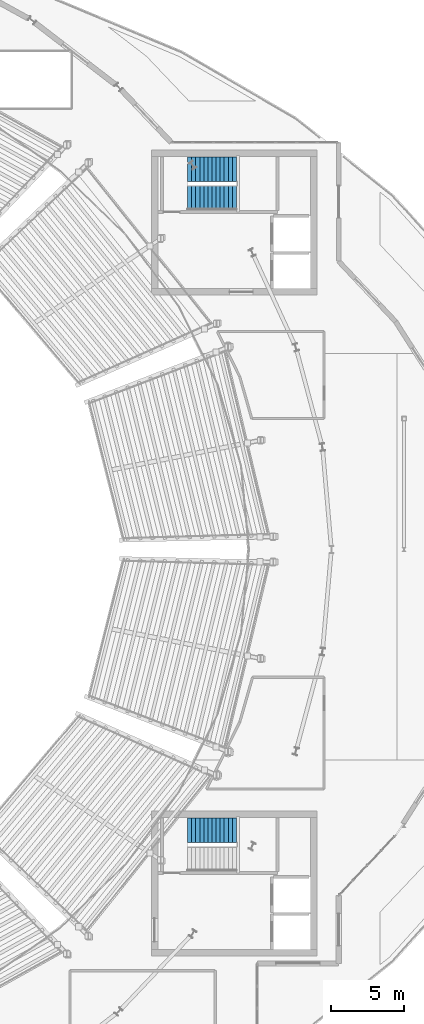
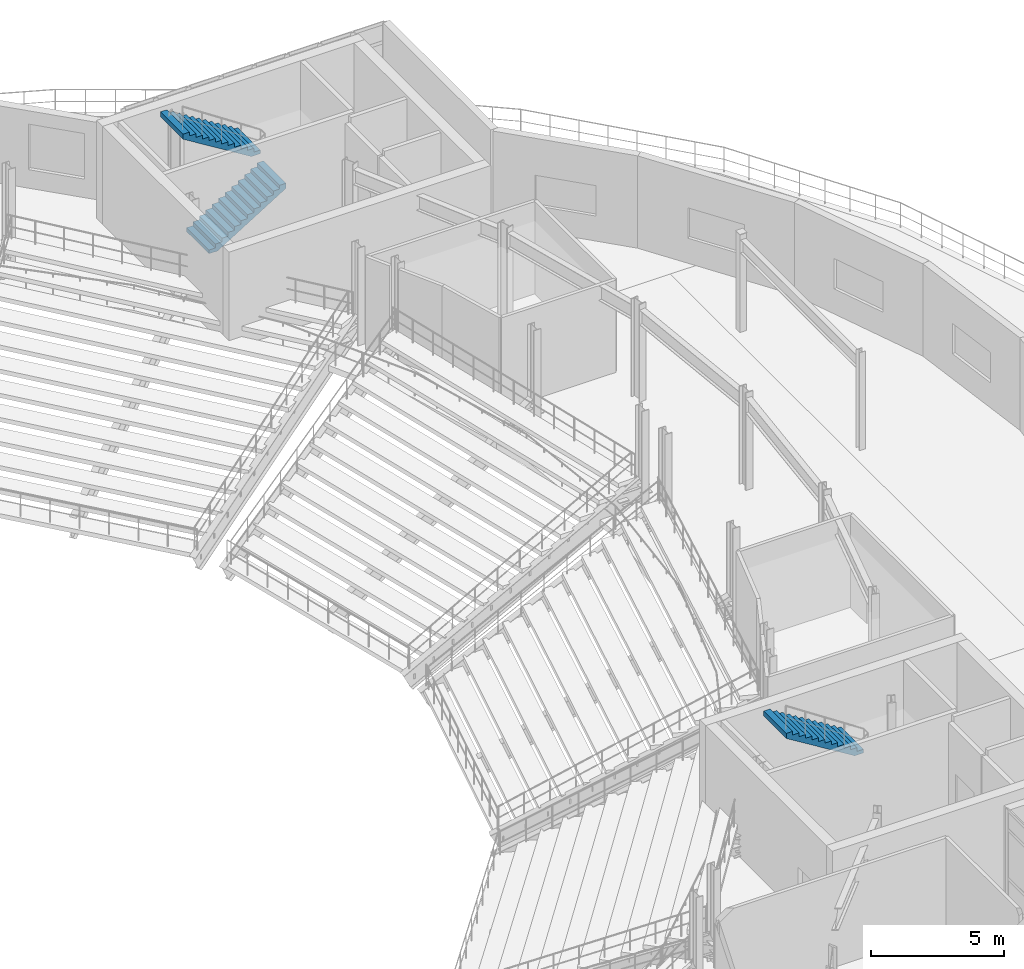
# One storey, part 62 of 81: 3 stair flights, 2 elements without a shape of their own.
"""IFC4 building model written with IfcOpenShell, lengths in metres."""

import ifcopenshell
import ifcopenshell.guid

model = None  # the IFC model being written
_history = None  # IfcOwnerHistory: only IFC2X3 demands one
_inside = {}  # id of a spatial element -> (the spatial element, [elements in it])
_under = {}  # id of a project, library or spatial element -> (it, [spatial elements below it])
_declared = {}  # id of a project -> (the project, [libraries it declares])
_typed = {}  # id of a type object -> (the type object, [elements of that type])
_made_of = {}  # id of a material, layer set ... -> (it, [elements and type objects made of it])


def new_model(schema):
    """Start an empty IFC model of exactly this schema.

    Asked for "IFC4X3", IfcOpenShell would pick the latest addendum, in which some entities
    have other attributes; the version numbers below select the first issue.
    IFC2X3 requires an IfcOwnerHistory on every rooted entity: one is made here for all.
    """
    global model, _history
    if schema == "IFC4X3":
        model = ifcopenshell.file(schema_version=(4, 3, 0, 0))
    else:
        model = ifcopenshell.file(schema=schema)
    _inside.clear()
    _under.clear()
    _declared.clear()
    _typed.clear()
    _made_of.clear()
    _history = None
    if model.schema == "IFC2X3":
        org = make("IfcOrganization", Name="unknown")
        user = make(
            "IfcPersonAndOrganization",
            ThePerson=make("IfcPerson", FamilyName="unknown"),
            TheOrganization=org,
        )
        app = make(
            "IfcApplication",
            ApplicationDeveloper=org,
            Version="unknown",
            ApplicationFullName="unknown",
            ApplicationIdentifier="unknown",
        )
        _history = make(
            "IfcOwnerHistory",
            OwningUser=user,
            OwningApplication=app,
            ChangeAction="ADDED",
            CreationDate=0,
        )
    return model


def make(cls, **values):
    """One entity of the class cls with the attributes given. An attribute that is None is left unset."""
    return model.create_entity(
        cls, **{name: value for name, value in values.items() if value is not None}
    )


def rooted(cls, **values):
    """An entity with a GlobalId (a new one), such as an element, a storey or a relation."""
    return make(cls, GlobalId=ifcopenshell.guid.new(), OwnerHistory=_history, **values)


def si_unit(unit_type, name, prefix=None):
    """IfcSIUnit, for example si_unit("LENGTHUNIT", "METRE", prefix="MILLI")."""
    return make("IfcSIUnit", UnitType=unit_type, Prefix=prefix, Name=name)


def assignment(units):
    """IfcUnitAssignment: the units of a project."""
    return None if units is None else make("IfcUnitAssignment", Units=units)


def point(xyz):
    """IfcCartesianPoint."""
    return None if xyz is None else make("IfcCartesianPoint", Coordinates=xyz)


def direction(xyz):
    """IfcDirection."""
    return None if xyz is None else make("IfcDirection", DirectionRatios=xyz)


def frame(location, z_axis=None, x_axis=None):
    """IfcAxis2Placement3D, a coordinate frame: its origin and axes. An axis left out is left unset."""
    return make(
        "IfcAxis2Placement3D",
        Location=point(location),
        Axis=direction(z_axis),
        RefDirection=direction(x_axis),
    )


def origin():
    """The frame at (0, 0, 0) with its axes left unset."""
    return frame((0.0, 0.0, 0.0))


def place(relative_to, where):
    """IfcLocalPlacement: puts the frame where relative to a parent placement (None: the world)."""
    return make(
        "IfcLocalPlacement", PlacementRelTo=relative_to, RelativePlacement=where
    )


def context(
    kind, dimensions, precision=None, world=None, true_north=None, identifier=None
):
    """IfcGeometricRepresentationContext, for example the 3D "Model" context."""
    return make(
        "IfcGeometricRepresentationContext",
        ContextIdentifier=identifier,
        ContextType=kind,
        CoordinateSpaceDimension=dimensions,
        Precision=precision,
        WorldCoordinateSystem=world,
        TrueNorth=true_north,
    )


def subcontext(parent, identifier, kind, view, scale=None):
    """IfcGeometricRepresentationSubContext, for example "Body" below "Model"."""
    return make(
        "IfcGeometricRepresentationSubContext",
        ContextIdentifier=identifier,
        ContextType=kind,
        ParentContext=parent,
        TargetScale=scale,
        TargetView=view,
    )


def project(units=None, contexts=None):
    """IfcProject with its units and contexts."""
    return rooted(
        "IfcProject",
        Name="project",
        RepresentationContexts=contexts,
        UnitsInContext=assignment(units),
    )


def spatial(cls, under=None, at=None, **own):
    """A site, building, storey or space (cls), placed at a placement, below another one or the project."""
    s = rooted(cls, ObjectPlacement=at, **own)
    if under is not None:
        _under.setdefault(under.id(), (under, []))[1].append(s)
    return s


def polyline(points):
    """IfcPolyline through the points."""
    return make("IfcPolyline", Points=[point(p) for p in points])


def outline(outer, holes=None, kind="AREA"):
    """IfcArbitraryClosedProfileDef: a profile drawn as a closed curve; with holes, ...WithVoids."""
    if holes is None:
        return make("IfcArbitraryClosedProfileDef", ProfileType=kind, OuterCurve=outer)
    return make(
        "IfcArbitraryProfileDefWithVoids",
        ProfileType=kind,
        OuterCurve=outer,
        InnerCurves=holes,
    )


def extrude(swept, where, along, depth):
    """IfcExtrudedAreaSolid: the profile swept, set in the frame where, extruded along a direction by depth."""
    return make(
        "IfcExtrudedAreaSolid",
        SweptArea=swept,
        Position=where,
        ExtrudedDirection=direction(along),
        Depth=depth,
    )


def shape(context_of_items, identifier, shape_type, items):
    """IfcShapeRepresentation: the items that make up one representation, for example the "Body"."""
    return make(
        "IfcShapeRepresentation",
        ContextOfItems=context_of_items,
        RepresentationIdentifier=identifier,
        RepresentationType=shape_type,
        Items=items,
    )


def material(Name=None, Category=None):
    """IfcMaterial."""
    return make("IfcMaterial", Name=Name, Category=Category)


def made_of(thing, what):
    """Note that an element or type object is made of a material, layer set ...; save() writes the relation."""
    if what is not None:
        _made_of.setdefault(what.id(), (what, []))[1].append(thing)
    return thing


def type_object(cls, material=None, **own):
    """A type object (cls), such as IfcWallType, which elements share."""
    return made_of(rooted(cls, **own), material)


def element(
    cls,
    number,
    at=None,
    inside=None,
    cuts=None,
    type_object=None,
    material=None,
    context=None,
    identifier="Body",
    shape_type=None,
    held_by="IfcProductDefinitionShape",
    body=None,
    shapes=None,
    **own,
):
    """One element of the class cls, such as IfcWall. Its Tag is "e" and its number.

    at: its placement. inside: the storey or other place that contains it. cuts: it is an
    opening in that element (IfcRelVoidsElement). A single representation is given by context,
    identifier, shape_type and body (its items); several are given by shapes. held_by: the class
    of the entity that holds the representations. save() writes the other relations.
    """
    e = rooted(cls, Tag="e%d" % number, ObjectPlacement=at, **own)
    if body is not None:
        shapes = [shape(context, identifier, shape_type, body)]
    if shapes is not None:
        e.Representation = make(held_by, Representations=shapes)
    if inside is not None:
        _inside.setdefault(inside.id(), (inside, []))[1].append(e)
    if cuts is not None:
        rooted(
            "IfcRelVoidsElement", RelatingBuildingElement=cuts, RelatedOpeningElement=e
        )
    if type_object is not None:
        _typed.setdefault(type_object.id(), (type_object, []))[1].append(e)
    return made_of(e, material)


def aggregate(whole, parts):
    """IfcRelAggregates: a whole, such as a stair, and the parts it consists of."""
    return rooted("IfcRelAggregates", RelatingObject=whole, RelatedObjects=parts)


def save(model, path):
    """Write the relations noted so far, then the file.

    IfcRelAggregates (storeys below a building ...), IfcRelContainedInSpatialStructure (elements
    in a storey), IfcRelDefinesByType, IfcRelAssociatesMaterial and IfcRelDeclares: one each for
    every whole, place, type object, material and project.
    """
    for whole, parts in _under.values():
        aggregate(whole, parts)
    for where, things in _inside.values():
        rooted(
            "IfcRelContainedInSpatialStructure",
            RelatedElements=things,
            RelatingStructure=where,
        )
    for kind, things in _typed.values():
        rooted("IfcRelDefinesByType", RelatedObjects=things, RelatingType=kind)
    for what, things in _made_of.values():
        rooted("IfcRelAssociatesMaterial", RelatedObjects=things, RelatingMaterial=what)
    for by, libraries in _declared.values():
        rooted("IfcRelDeclares", RelatingContext=by, RelatedDefinitions=libraries)
    model.write(path)


model = new_model("IFC4")

# Units and contexts
model_context = context("Model", 3, precision=1e-05, world=origin(), true_north=direction((0.0, 1.0)))
body_context = subcontext(model_context, "Body", "Model", "MODEL_VIEW")
ifc_project = project(units=[si_unit("LENGTHUNIT", "METRE"), si_unit("AREAUNIT", "SQUARE_METRE"), si_unit("VOLUMEUNIT", "CUBIC_METRE"), si_unit("PLANEANGLEUNIT", "RADIAN"), si_unit("MASSUNIT", "GRAM", prefix="KILO")], contexts=[model_context])

# Site, building, storey
site_placement = place(None, origin())
site = spatial("IfcSite", under=ifc_project, at=site_placement, CompositionType="ELEMENT")
building_placement = place(site_placement, origin())
building = spatial("IfcBuilding", under=site, at=building_placement, Name="Glasvene Arena", CompositionType="ELEMENT")
storey_placement = place(building_placement, frame((0.0, 0.0, 15.0)))
storey = spatial("IfcBuildingStorey", under=building, at=storey_placement, Name="L03", CompositionType="ELEMENT", Elevation=15.0)

# Stair, stair flights
ifc_material = material(Name="Concrete C40/50", Category="concrete")
stair_type = type_object("IfcStairType", Name="ST-HT-450-170", PredefinedType="HALF_TURN_STAIR", material=ifc_material)
stair_1_placement = place(storey_placement, origin())
stair_1 = element("IfcStair", 1, at=stair_1_placement, inside=storey, type_object=stair_type, Name="Protected escape stair ST-02 (L03 to L04)", PredefinedType="HALF_TURN_STAIR")
stair_flight_type = type_object("IfcStairFlightType", Name="SF-HT-450-170", PredefinedType="STRAIGHT", material=ifc_material)
stair_flight_1_placement = place(storey_placement, frame((132.10009765625, 97.199951171875, 0.0), z_axis=(0.0, 0.0, 1.0), x_axis=(1.0, 0.0, 0.0)))
stair_flight_1 = element("IfcStairFlight", 2, at=stair_flight_1_placement, type_object=stair_flight_type, Name="Protected escape stair ST-02 (L03 to L04) flight 1", NumberOfRisers=13, NumberOfTreads=12, PredefinedType="STRAIGHT", RiserHeight=0.173077, TreadLength=0.28, context=body_context, shape_type="SweptSolid", body=[
    extrude(outline(polyline([(0.0, 0.0), (0.0, 0.173095703125), (0.280029296875, 0.173095703125), (0.280029296875, 0.34619140625), (0.56005859375, 0.34619140625), (0.56005859375, 0.519287109375), (0.840087890625, 0.519287109375), (0.840087890625, 0.6923828125), (1.1201171875, 0.6923828125), (1.1201171875, 0.865478515625), (1.39990234375, 0.865478515625), (1.39990234375, 1.03857421875), (1.679931640625, 1.03857421875), (1.679931640625, 1.21142578125), (1.9599609375, 1.21142578125), (1.9599609375, 1.384521484375), (2.239990234375, 1.384521484375), (2.239990234375, 1.5576171875), (2.52001953125, 1.5576171875), (2.52001953125, 1.730712890625), (2.800048828125, 1.730712890625), (2.800048828125, 1.90380859375), (3.080078125, 1.90380859375), (3.080078125, 2.076904296875), (3.360107421875, 2.076904296875), (3.360107421875, 2.25), (3.360107421875, 1.841796875), (0.38037109375, 0.0), (0.0, 0.0)])), frame((0.0, 0.85009765625, 0.0), z_axis=(0.0, -1.0, 0.0), x_axis=(1.0, 0.0, 0.0)), (0.0, 0.0, 1.0), 1.699951171875),
])
stair_flight_2_placement = place(storey_placement, frame((135.4599609375, 99.14990234375, 2.25), z_axis=(0.0, 0.0, 1.0), x_axis=(-1.0, 0.0, 0.0)))
stair_flight_2 = element("IfcStairFlight", 3, at=stair_flight_2_placement, type_object=stair_flight_type, Name="Protected escape stair ST-02 (L03 to L04) flight 2", NumberOfRisers=13, NumberOfTreads=12, PredefinedType="STRAIGHT", RiserHeight=0.173077, TreadLength=0.28, context=body_context, shape_type="SweptSolid", body=[
    extrude(outline(polyline([(0.0, 0.0), (0.0, 0.173095703125), (0.280029296875, 0.173095703125), (0.280029296875, 0.34619140625), (0.56005859375, 0.34619140625), (0.56005859375, 0.519287109375), (0.840087890625, 0.519287109375), (0.840087890625, 0.6923828125), (1.1201171875, 0.6923828125), (1.1201171875, 0.865478515625), (1.39990234375, 0.865478515625), (1.39990234375, 1.03857421875), (1.679931640625, 1.03857421875), (1.679931640625, 1.21142578125), (1.9599609375, 1.21142578125), (1.9599609375, 1.384521484375), (2.239990234375, 1.384521484375), (2.239990234375, 1.5576171875), (2.52001953125, 1.5576171875), (2.52001953125, 1.730712890625), (2.800048828125, 1.730712890625), (2.800048828125, 1.90380859375), (3.080078125, 1.90380859375), (3.080078125, 2.076904296875), (3.360107421875, 2.076904296875), (3.360107421875, 2.25), (3.360107421875, 1.841796875), (0.38037109375, 0.0), (0.0, 0.0)])), frame((0.0, 0.85009765625, 0.0), z_axis=(0.0, -1.0, 0.0), x_axis=(1.0, 0.0, 0.0)), (0.0, 0.0, 1.0), 1.699951171875),
])
aggregate(stair_1, [stair_flight_1, stair_flight_2])

# Stair, stair flight
stair_2_placement = place(storey_placement, origin())
stair_2 = element("IfcStair", 4, at=stair_2_placement, inside=storey, type_object=stair_type, Name="Protected escape stair ST-04 (L03 to L04)", PredefinedType="HALF_TURN_STAIR")
stair_flight_3_placement = place(storey_placement, frame((135.4599609375, 53.64990234375, 2.25), z_axis=(0.0, 0.0, 1.0), x_axis=(-1.0, 0.0, 0.0)))
stair_flight_3 = element("IfcStairFlight", 5, at=stair_flight_3_placement, type_object=stair_flight_type, Name="Protected escape stair ST-04 (L03 to L04) flight 2", NumberOfRisers=13, NumberOfTreads=12, PredefinedType="STRAIGHT", RiserHeight=0.173077, TreadLength=0.28, context=body_context, shape_type="SweptSolid", body=[
    extrude(outline(polyline([(0.0, 0.0), (0.0, 0.173095703125), (0.280029296875, 0.173095703125), (0.280029296875, 0.34619140625), (0.56005859375, 0.34619140625), (0.56005859375, 0.519287109375), (0.840087890625, 0.519287109375), (0.840087890625, 0.6923828125), (1.1201171875, 0.6923828125), (1.1201171875, 0.865478515625), (1.39990234375, 0.865478515625), (1.39990234375, 1.03857421875), (1.679931640625, 1.03857421875), (1.679931640625, 1.21142578125), (1.9599609375, 1.21142578125), (1.9599609375, 1.384521484375), (2.239990234375, 1.384521484375), (2.239990234375, 1.5576171875), (2.52001953125, 1.5576171875), (2.52001953125, 1.730712890625), (2.800048828125, 1.730712890625), (2.800048828125, 1.90380859375), (3.080078125, 1.90380859375), (3.080078125, 2.076904296875), (3.360107421875, 2.076904296875), (3.360107421875, 2.25), (3.360107421875, 1.841796875), (0.38037109375, 0.0), (0.0, 0.0)])), frame((0.0, 0.85009765625, 0.0), z_axis=(0.0, -1.0, 0.0), x_axis=(1.0, 0.0, 0.0)), (0.0, 0.0, 1.0), 1.699951171875),
])
aggregate(stair_2, [stair_flight_3])

save(model, "model.ifc")
